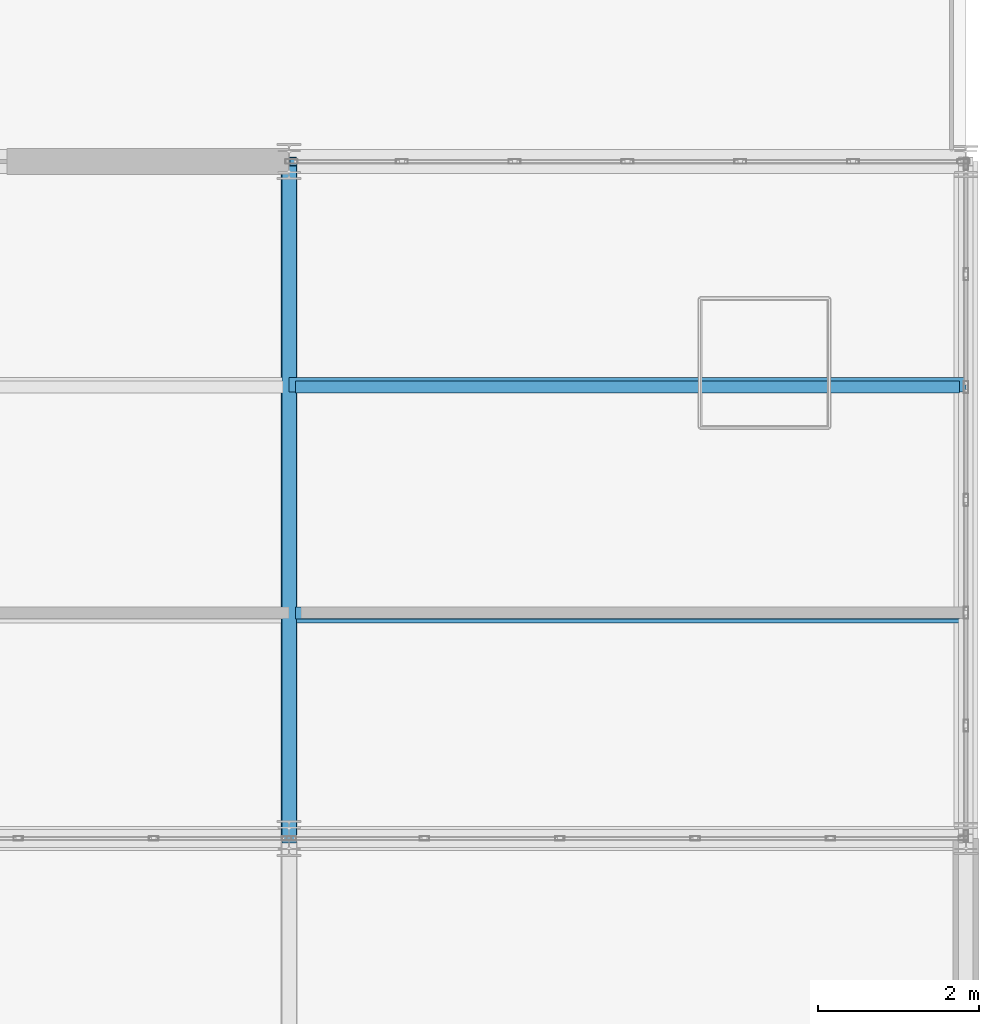
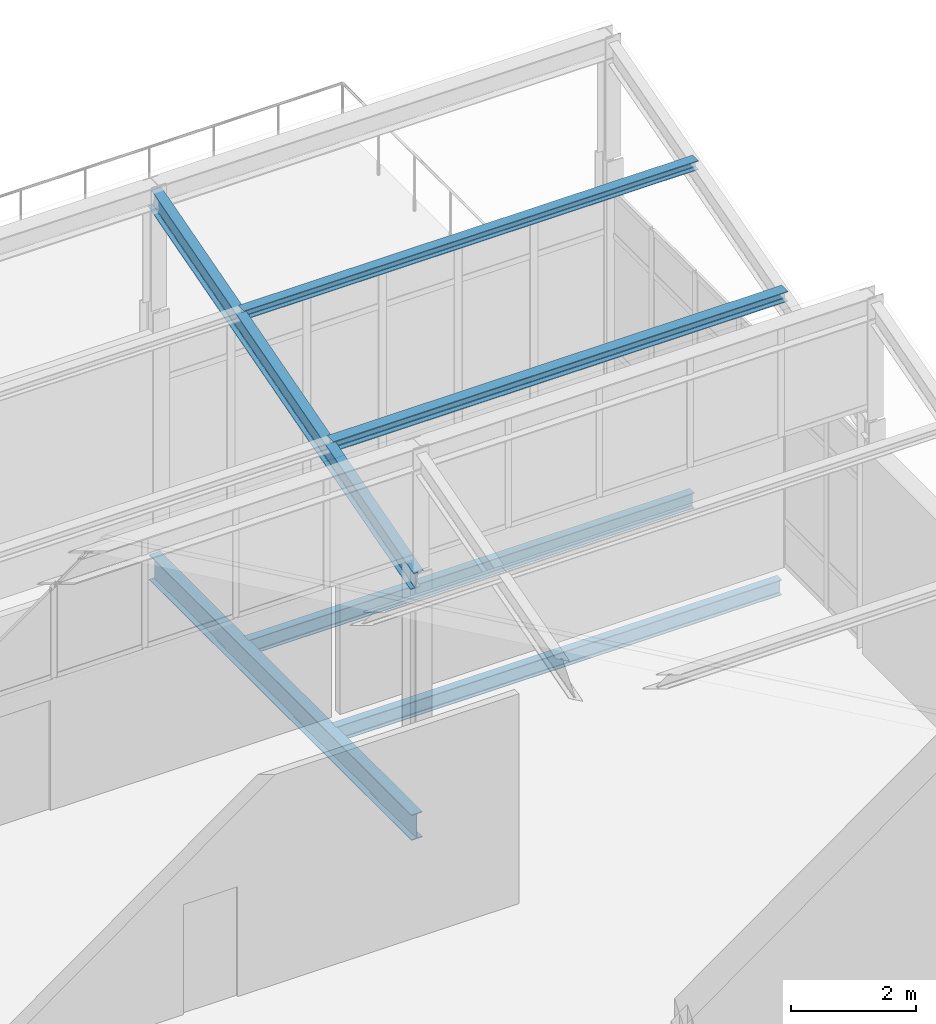
# One storey, part 39 of 53: 4 beams, 2 members.
"""IFC4 building model written with IfcOpenShell, lengths in metres."""

from ifc_helpers import new_model, si_unit, direction, frame, origin, origin_2d, place, context, subcontext, project, spatial, i_section, extrude, material, material_profile, profile_set, type_object, element, save


model = new_model("IFC4")

# Units and contexts
model_context = context("Model", 3, precision=1e-05, world=origin(), true_north=direction((0.0, 1.0)))
body_context = subcontext(model_context, "Body", "Model", "MODEL_VIEW")
ifc_project = project(units=[si_unit("LENGTHUNIT", "METRE"), si_unit("AREAUNIT", "SQUARE_METRE"), si_unit("VOLUMEUNIT", "CUBIC_METRE"), si_unit("PLANEANGLEUNIT", "RADIAN"), si_unit("MASSUNIT", "GRAM", prefix="KILO")], contexts=[model_context])

# Site, building, storey
site_placement = place(None, origin())
site = spatial("IfcSite", under=ifc_project, at=site_placement, CompositionType="ELEMENT")
building_placement = place(site_placement, origin())
building = spatial("IfcBuilding", under=site, at=building_placement, Name="Qalvenar Corner Mobility Hub", CompositionType="ELEMENT")
storey_placement = place(building_placement, frame((0.0, 0.0, 26.39990234375)))
storey = spatial("IfcBuildingStorey", under=building, at=storey_placement, Name="L06", CompositionType="ELEMENT", Elevation=26.39990234375)

# Beams
ifc_material = material(Name="Steel S355", Category="steel")
ifc_material_profile_1 = material_profile(ifc_material, i_section(OverallWidth=0.179931640625, OverallDepth=0.39990234375, WebThickness=0.008544921875, FlangeThickness=0.013427734375, FilletRadius=0.02099609375, at=origin_2d()), Name="IPE400")
ifc_profile_set_1 = profile_set([ifc_material_profile_1], Name="Steel S355")
beam_type_1 = type_object("IfcBeamType", Name="BM-IPE400", PredefinedType="BEAM", material=ifc_profile_set_1)
beam_1_placement = place(storey_placement, frame((33.60009765625, 25.199951171875, 4.340087890625), z_axis=(0.0, 0.961528165748, 0.274706364092), x_axis=(-1.0, 0.0, 0.0)))
element("IfcBeam", 1, at=beam_1_placement, inside=storey, type_object=beam_type_1, Name="Sawtooth Rafter V3RF-4-5", PredefinedType="BEAM", context=body_context, shape_type="SweptSolid", body=[
    extrude(i_section(OverallWidth=0.179931640625, OverallDepth=0.39990234375, WebThickness=0.008544921875, FlangeThickness=0.013427734375, FilletRadius=0.02099609375, at=origin_2d()), origin(), (0.0, 0.0, 1.0), 8.736328125),
])
ifc_material_profile_2 = material_profile(ifc_material, i_section(OverallWidth=0.199951171875, OverallDepth=0.5, WebThickness=0.01025390625, FlangeThickness=0.01611328125, FilletRadius=0.02099609375, at=origin_2d()), Name="IPE500")
ifc_profile_set_2 = profile_set([ifc_material_profile_2], Name="Steel S355")
beam_type_2 = type_object("IfcBeamType", Name="BM-IPE500", PredefinedType="BEAM", material=ifc_profile_set_2)
beam_2_placement = place(storey_placement, frame((33.60009765625, 25.199951171875, -0.469970703125), z_axis=(0.0, 1.0, 0.0), x_axis=(-1.0, 0.0, 0.0)))
element("IfcBeam", 2, at=beam_2_placement, inside=storey, type_object=beam_type_2, Name="Primary Steel Girder GY-3096", PredefinedType="BEAM", context=body_context, shape_type="SweptSolid", body=[
    extrude(i_section(OverallWidth=0.199951171875, OverallDepth=0.5, WebThickness=0.01025390625, FlangeThickness=0.01611328125, FilletRadius=0.02099609375, at=origin_2d()), origin(), (0.0, 0.0, 1.0), 8.400146484375),
])
ifc_material_profile_3 = material_profile(ifc_material, i_section(OverallWidth=0.14990234375, OverallDepth=0.300048828125, WebThickness=0.007080078125, FlangeThickness=0.0107421875, FilletRadius=0.014892578125, at=origin_2d()), Name="IPE300")
ifc_profile_set_3 = profile_set([ifc_material_profile_3], Name="Steel S355")
beam_type_3 = type_object("IfcBeamType", Name="BM-JST300", PredefinedType="JOIST", material=ifc_profile_set_3)
for number, where, z_axis, x_axis, name in (
    (3, (33.677978515625, 28.0, -0.369873046875), (1.0, 0.0, 0.0), (0.0, 1.0, 0.0), "Composite Floor Joist J-3136"),
    (4, (33.677978515625, 30.800048828125, -0.369873046875), (1.0, 0.0, 0.0), (0.0, 1.0, 0.0), "Composite Floor Joist J-3137"),
):
    element("IfcBeam", number, at=place(storey_placement, frame(where, z_axis=z_axis, x_axis=x_axis)), inside=storey, type_object=beam_type_3, Name=name, PredefinedType="JOIST", context=body_context, shape_type="SweptSolid", body=[
        extrude(i_section(OverallWidth=0.14990234375, OverallDepth=0.300048828125, WebThickness=0.007080078125, FlangeThickness=0.0107421875, FilletRadius=0.014892578125, at=origin_2d()), origin(), (0.0, 0.0, 1.0), 8.244140625),
    ])

# Members
ifc_material_profile_4 = material_profile(ifc_material, i_section(OverallWidth=0.179931640625, OverallDepth=0.179931640625, WebThickness=0.008544921875, FlangeThickness=0.013916015625, FilletRadius=0.014892578125, at=origin_2d()), Name="HEB180")
ifc_profile_set_4 = profile_set([ifc_material_profile_4], Name="Steel S355")
member_type_1 = type_object("IfcMemberType", Name="PR-RHS180", PredefinedType="PURLIN", material=ifc_profile_set_4)
member_1_placement = place(storey_placement, frame((33.60009765625, 30.827880859375, 6.148193359375), z_axis=(1.0, 0.0, 0.0), x_axis=(0.0, 1.0, 0.0)))
element("IfcMember", 5, at=member_1_placement, inside=storey, type_object=member_type_1, Name="Sawtooth Roof Purlin PR-V3-4-5-67", PredefinedType="PURLIN", context=body_context, shape_type="SweptSolid", body=[
    extrude(i_section(OverallWidth=0.179931640625, OverallDepth=0.179931640625, WebThickness=0.008544921875, FlangeThickness=0.013916015625, FilletRadius=0.014892578125, at=origin_2d()), origin(), (0.0, 0.0, 1.0), 8.39990234375),
])
ifc_material_profile_5 = material_profile(ifc_material, i_section(OverallWidth=0.199951171875, OverallDepth=0.199951171875, WebThickness=0.009033203125, FlangeThickness=0.014892578125, FilletRadius=0.01806640625, at=origin_2d()), Name="HEB200")
ifc_profile_set_5 = profile_set([ifc_material_profile_5], Name="Steel S355")
member_type_2 = type_object("IfcMemberType", Name="PR-RHS200", PredefinedType="PURLIN", material=ifc_profile_set_5)
member_2_placement = place(storey_placement, frame((33.60009765625, 27.971923828125, 5.322021484375), z_axis=(1.0, 0.0, 0.0), x_axis=(0.0, 1.0, 0.0)))
element("IfcMember", 6, at=member_2_placement, inside=storey, type_object=member_type_2, Name="Sawtooth Roof Purlin PR-V3-4-5-33", PredefinedType="PURLIN", context=body_context, shape_type="SweptSolid", body=[
    extrude(i_section(OverallWidth=0.199951171875, OverallDepth=0.199951171875, WebThickness=0.009033203125, FlangeThickness=0.014892578125, FilletRadius=0.01806640625, at=origin_2d()), origin(), (0.0, 0.0, 1.0), 8.39990234375),
])

save(model, "model.ifc")
